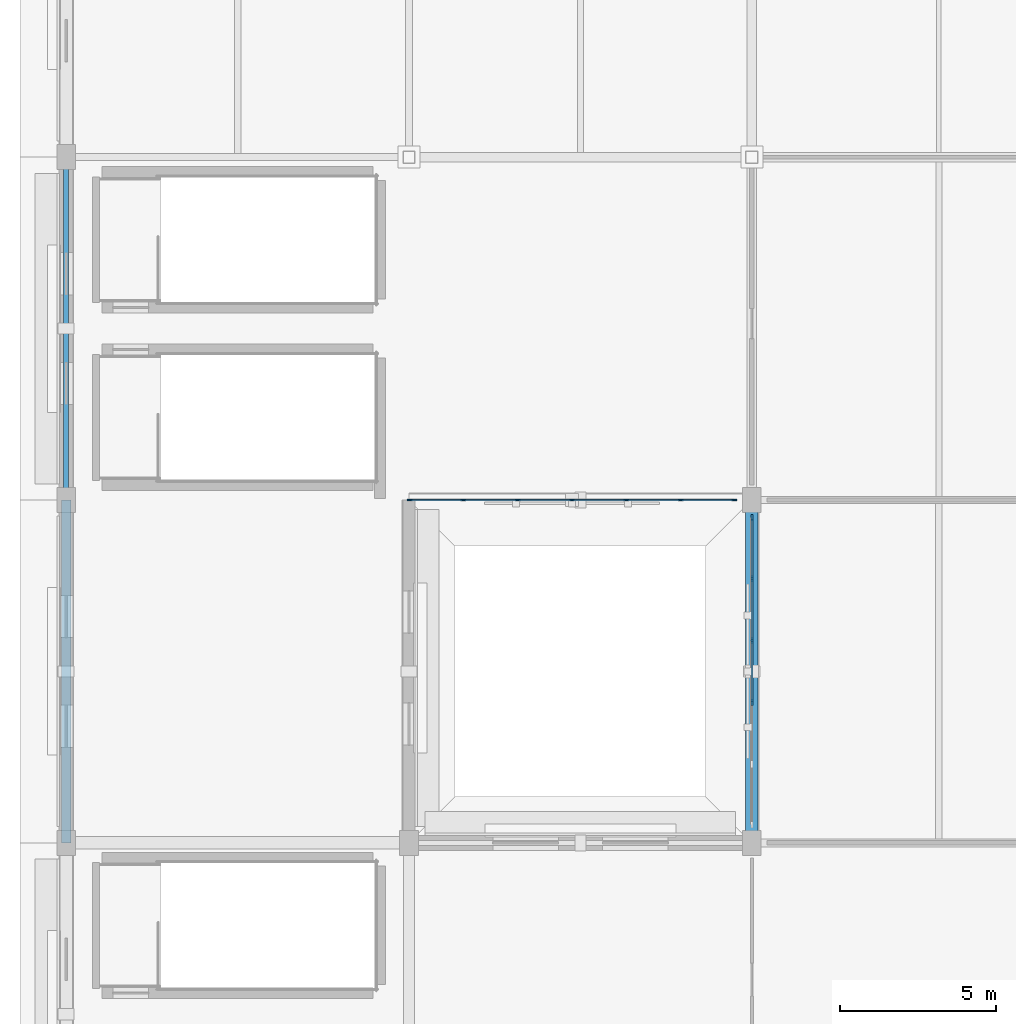
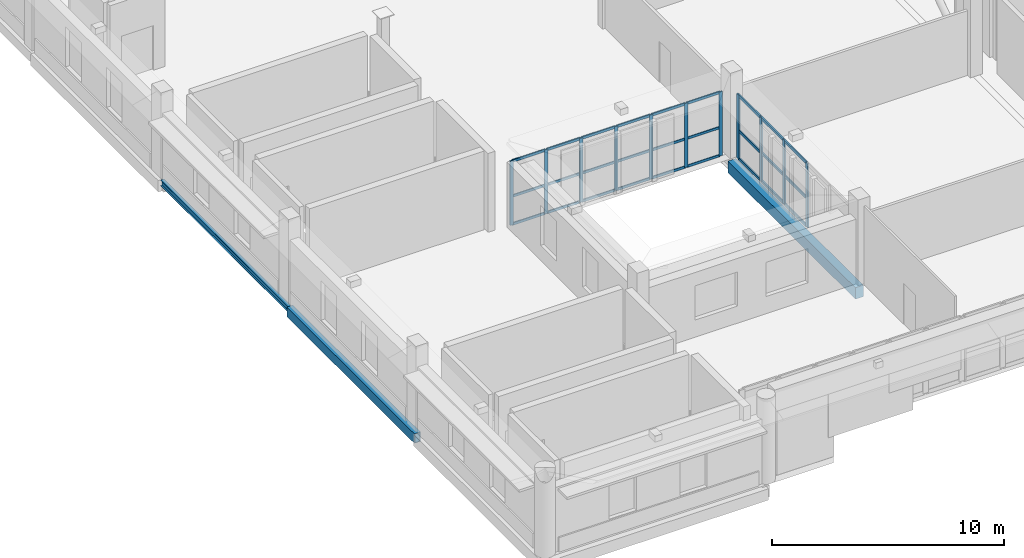
# One storey, part 25 of 118: 38 members, 3 beams, 2 elements without a shape of their own.
"""IFC4 building model written with IfcOpenShell, lengths in metres."""

import ifcopenshell
import ifcopenshell.guid

model = None  # the IFC model being written
_history = None  # IfcOwnerHistory: only IFC2X3 demands one
_inside = {}  # id of a spatial element -> (the spatial element, [elements in it])
_under = {}  # id of a project, library or spatial element -> (it, [spatial elements below it])
_declared = {}  # id of a project -> (the project, [libraries it declares])
_typed = {}  # id of a type object -> (the type object, [elements of that type])
_made_of = {}  # id of a material, layer set ... -> (it, [elements and type objects made of it])


def new_model(schema):
    """Start an empty IFC model of exactly this schema.

    Asked for "IFC4X3", IfcOpenShell would pick the latest addendum, in which some entities
    have other attributes; the version numbers below select the first issue.
    IFC2X3 requires an IfcOwnerHistory on every rooted entity: one is made here for all.
    """
    global model, _history
    if schema == "IFC4X3":
        model = ifcopenshell.file(schema_version=(4, 3, 0, 0))
    else:
        model = ifcopenshell.file(schema=schema)
    _inside.clear()
    _under.clear()
    _declared.clear()
    _typed.clear()
    _made_of.clear()
    _history = None
    if model.schema == "IFC2X3":
        org = make("IfcOrganization", Name="unknown")
        user = make(
            "IfcPersonAndOrganization",
            ThePerson=make("IfcPerson", FamilyName="unknown"),
            TheOrganization=org,
        )
        app = make(
            "IfcApplication",
            ApplicationDeveloper=org,
            Version="unknown",
            ApplicationFullName="unknown",
            ApplicationIdentifier="unknown",
        )
        _history = make(
            "IfcOwnerHistory",
            OwningUser=user,
            OwningApplication=app,
            ChangeAction="ADDED",
            CreationDate=0,
        )
    return model


def make(cls, **values):
    """One entity of the class cls with the attributes given. An attribute that is None is left unset."""
    return model.create_entity(
        cls, **{name: value for name, value in values.items() if value is not None}
    )


def rooted(cls, **values):
    """An entity with a GlobalId (a new one), such as an element, a storey or a relation."""
    return make(cls, GlobalId=ifcopenshell.guid.new(), OwnerHistory=_history, **values)


def si_unit(unit_type, name, prefix=None):
    """IfcSIUnit, for example si_unit("LENGTHUNIT", "METRE", prefix="MILLI")."""
    return make("IfcSIUnit", UnitType=unit_type, Prefix=prefix, Name=name)


def assignment(units):
    """IfcUnitAssignment: the units of a project."""
    return None if units is None else make("IfcUnitAssignment", Units=units)


def point(xyz):
    """IfcCartesianPoint."""
    return None if xyz is None else make("IfcCartesianPoint", Coordinates=xyz)


def direction(xyz):
    """IfcDirection."""
    return None if xyz is None else make("IfcDirection", DirectionRatios=xyz)


def frame(location, z_axis=None, x_axis=None):
    """IfcAxis2Placement3D, a coordinate frame: its origin and axes. An axis left out is left unset."""
    return make(
        "IfcAxis2Placement3D",
        Location=point(location),
        Axis=direction(z_axis),
        RefDirection=direction(x_axis),
    )


def frame_2d(location, x_axis=None):
    """IfcAxis2Placement2D, a coordinate frame in the plane: its origin and x axis."""
    return make(
        "IfcAxis2Placement2D", Location=point(location), RefDirection=direction(x_axis)
    )


def origin():
    """The frame at (0, 0, 0) with its axes left unset."""
    return frame((0.0, 0.0, 0.0))


def origin_2d():
    """The frame at (0, 0) in the plane with its x axis left unset."""
    return frame_2d((0.0, 0.0))


def place(relative_to, where):
    """IfcLocalPlacement: puts the frame where relative to a parent placement (None: the world)."""
    return make(
        "IfcLocalPlacement", PlacementRelTo=relative_to, RelativePlacement=where
    )


def context(
    kind, dimensions, precision=None, world=None, true_north=None, identifier=None
):
    """IfcGeometricRepresentationContext, for example the 3D "Model" context."""
    return make(
        "IfcGeometricRepresentationContext",
        ContextIdentifier=identifier,
        ContextType=kind,
        CoordinateSpaceDimension=dimensions,
        Precision=precision,
        WorldCoordinateSystem=world,
        TrueNorth=true_north,
    )


def subcontext(parent, identifier, kind, view, scale=None):
    """IfcGeometricRepresentationSubContext, for example "Body" below "Model"."""
    return make(
        "IfcGeometricRepresentationSubContext",
        ContextIdentifier=identifier,
        ContextType=kind,
        ParentContext=parent,
        TargetScale=scale,
        TargetView=view,
    )


def project(units=None, contexts=None):
    """IfcProject with its units and contexts."""
    return rooted(
        "IfcProject",
        Name="project",
        RepresentationContexts=contexts,
        UnitsInContext=assignment(units),
    )


def spatial(cls, under=None, at=None, **own):
    """A site, building, storey or space (cls), placed at a placement, below another one or the project."""
    s = rooted(cls, ObjectPlacement=at, **own)
    if under is not None:
        _under.setdefault(under.id(), (under, []))[1].append(s)
    return s


def profile(cls, at=None, kind="AREA", **sizes):
    """A parametric profile (cls). Its sizes go by their IFC names, for example OverallWidth=200.0."""
    return make(cls, ProfileType=kind, Position=at, **sizes)


def rectangle(**sizes):
    """IfcRectangleProfileDef."""
    return profile("IfcRectangleProfileDef", **sizes)


def hollow_rectangle(**sizes):
    """IfcRectangleHollowProfileDef."""
    return profile("IfcRectangleHollowProfileDef", **sizes)


def i_section(**sizes):
    """IfcIShapeProfileDef."""
    return profile("IfcIShapeProfileDef", **sizes)


def extrude(swept, where, along, depth):
    """IfcExtrudedAreaSolid: the profile swept, set in the frame where, extruded along a direction by depth."""
    return make(
        "IfcExtrudedAreaSolid",
        SweptArea=swept,
        Position=where,
        ExtrudedDirection=direction(along),
        Depth=depth,
    )


def shape(context_of_items, identifier, shape_type, items):
    """IfcShapeRepresentation: the items that make up one representation, for example the "Body"."""
    return make(
        "IfcShapeRepresentation",
        ContextOfItems=context_of_items,
        RepresentationIdentifier=identifier,
        RepresentationType=shape_type,
        Items=items,
    )


def material(Name=None, Category=None):
    """IfcMaterial."""
    return make("IfcMaterial", Name=Name, Category=Category)


def material_profile(
    of_material, cross_section, Name=None, Category=None, Priority=None
):
    """IfcMaterialProfile: a cross section and its material."""
    return make(
        "IfcMaterialProfile",
        Name=Name,
        Material=of_material,
        Profile=cross_section,
        Priority=Priority,
        Category=Category,
    )


def profile_set(profiles, Name=None, composite=None):
    """IfcMaterialProfileSet."""
    return make(
        "IfcMaterialProfileSet",
        Name=Name,
        MaterialProfiles=profiles,
        CompositeProfile=composite,
    )


def made_of(thing, what):
    """Note that an element or type object is made of a material, layer set ...; save() writes the relation."""
    if what is not None:
        _made_of.setdefault(what.id(), (what, []))[1].append(thing)
    return thing


def type_object(cls, material=None, **own):
    """A type object (cls), such as IfcWallType, which elements share."""
    return made_of(rooted(cls, **own), material)


def element(
    cls,
    number,
    at=None,
    inside=None,
    cuts=None,
    type_object=None,
    material=None,
    context=None,
    identifier="Body",
    shape_type=None,
    held_by="IfcProductDefinitionShape",
    body=None,
    shapes=None,
    **own,
):
    """One element of the class cls, such as IfcWall. Its Tag is "e" and its number.

    at: its placement. inside: the storey or other place that contains it. cuts: it is an
    opening in that element (IfcRelVoidsElement). A single representation is given by context,
    identifier, shape_type and body (its items); several are given by shapes. held_by: the class
    of the entity that holds the representations. save() writes the other relations.
    """
    e = rooted(cls, Tag="e%d" % number, ObjectPlacement=at, **own)
    if body is not None:
        shapes = [shape(context, identifier, shape_type, body)]
    if shapes is not None:
        e.Representation = make(held_by, Representations=shapes)
    if inside is not None:
        _inside.setdefault(inside.id(), (inside, []))[1].append(e)
    if cuts is not None:
        rooted(
            "IfcRelVoidsElement", RelatingBuildingElement=cuts, RelatedOpeningElement=e
        )
    if type_object is not None:
        _typed.setdefault(type_object.id(), (type_object, []))[1].append(e)
    return made_of(e, material)


def aggregate(whole, parts):
    """IfcRelAggregates: a whole, such as a stair, and the parts it consists of."""
    return rooted("IfcRelAggregates", RelatingObject=whole, RelatedObjects=parts)


def save(model, path):
    """Write the relations noted so far, then the file.

    IfcRelAggregates (storeys below a building ...), IfcRelContainedInSpatialStructure (elements
    in a storey), IfcRelDefinesByType, IfcRelAssociatesMaterial and IfcRelDeclares: one each for
    every whole, place, type object, material and project.
    """
    for whole, parts in _under.values():
        aggregate(whole, parts)
    for where, things in _inside.values():
        rooted(
            "IfcRelContainedInSpatialStructure",
            RelatedElements=things,
            RelatingStructure=where,
        )
    for kind, things in _typed.values():
        rooted("IfcRelDefinesByType", RelatedObjects=things, RelatingType=kind)
    for what, things in _made_of.values():
        rooted("IfcRelAssociatesMaterial", RelatedObjects=things, RelatingMaterial=what)
    for by, libraries in _declared.values():
        rooted("IfcRelDeclares", RelatingContext=by, RelatedDefinitions=libraries)
    model.write(path)


model = new_model("IFC4")

# Units and contexts
model_context = context("Model", 3, precision=1e-05, world=origin(), true_north=direction((0.0, 1.0)))
body_context = subcontext(model_context, "Body", "Model", "MODEL_VIEW")
ifc_project = project(units=[si_unit("LENGTHUNIT", "METRE"), si_unit("AREAUNIT", "SQUARE_METRE"), si_unit("VOLUMEUNIT", "CUBIC_METRE"), si_unit("PLANEANGLEUNIT", "RADIAN"), si_unit("MASSUNIT", "GRAM", prefix="KILO")], contexts=[model_context])

# Site, building, storey
site_placement = place(None, origin())
site = spatial("IfcSite", under=ifc_project, at=site_placement, CompositionType="ELEMENT")
building_placement = place(site_placement, origin())
building = spatial("IfcBuilding", under=site, at=building_placement, Name="Luwafu Chhajja Arena", CompositionType="ELEMENT")
storey_placement = place(building_placement, frame((0.0, 0.0, 10.199951171875)))
storey = spatial("IfcBuildingStorey", under=building, at=storey_placement, Name="L02", CompositionType="ELEMENT", Elevation=10.199951171875)

# Curtain wall, members
ifc_material_1 = material(Name="Anodised bronze aluminium", Category="aluminium")
curtain_wall_type_1 = type_object("IfcCurtainWallType", Name="Bowl Concourse Chord Curtain Wall", PredefinedType="USERDEFINED", material=ifc_material_1)
curtain_wall_1_placement = place(storey_placement, origin())
curtain_wall_1 = element("IfcCurtainWall", 1, at=curtain_wall_1_placement, inside=storey, type_object=curtain_wall_type_1, Name="L02 Curtain Wall CWG-L02-H01_02", ObjectType="CURTAIN WALL", PredefinedType="USERDEFINED")
ifc_material_profile_1 = material_profile(ifc_material_1, rectangle(XDim=0.06005859375, YDim=0.159912109375, at=origin_2d()), Name="CWM 60x160")
ifc_profile_set_1 = profile_set([ifc_material_profile_1], Name="Anodised bronze aluminium")
member_type_1 = type_object("IfcMemberType", Name="Bronze Curtain Wall Mullion 60x160", PredefinedType="MULLION", material=ifc_profile_set_1)
member_1_placement = place(storey_placement, frame((11.030029296875, 22.0, 0.030029296875), z_axis=(0.0, 0.0, 1.0), x_axis=(0.0, 1.0, 0.0)))
member_1 = element("IfcMember", 2, at=member_1_placement, type_object=member_type_1, Name="CW-01 mullion 1", PredefinedType="MULLION", context=body_context, shape_type="SweptSolid", body=[
    extrude(rectangle(XDim=0.06005859375, YDim=0.159912109375, at=origin_2d()), origin(), (0.0, 0.0, 1.0), 3.375),
])
member_2_placement = place(storey_placement, frame((12.743408203125, 22.0, 0.030029296875), z_axis=(0.0, 0.0, 1.0), x_axis=(0.0, 1.0, 0.0)))
member_2 = element("IfcMember", 3, at=member_2_placement, type_object=member_type_1, Name="CW-01 mullion 2", PredefinedType="MULLION", context=body_context, shape_type="SweptSolid", body=[
    extrude(rectangle(XDim=0.06005859375, YDim=0.159912109375, at=origin_2d()), origin(), (0.0, 0.0, 1.0), 3.375),
])
member_3_placement = place(storey_placement, frame((14.486572265625, 22.0, 0.030029296875), z_axis=(0.0, 0.0, 1.0), x_axis=(0.0, 1.0, 0.0)))
member_3 = element("IfcMember", 4, at=member_3_placement, type_object=member_type_1, Name="CW-01 mullion 3", PredefinedType="MULLION", context=body_context, shape_type="SweptSolid", body=[
    extrude(rectangle(XDim=0.06005859375, YDim=0.159912109375, at=origin_2d()), origin(), (0.0, 0.0, 1.0), 3.375),
])
member_4_placement = place(storey_placement, frame((16.22998046875, 22.0, 0.030029296875), z_axis=(0.0, 0.0, 1.0), x_axis=(0.0, 1.0, 0.0)))
member_4 = element("IfcMember", 5, at=member_4_placement, type_object=member_type_1, Name="CW-01 mullion 4", PredefinedType="MULLION", context=body_context, shape_type="SweptSolid", body=[
    extrude(rectangle(XDim=0.06005859375, YDim=0.159912109375, at=origin_2d()), origin(), (0.0, 0.0, 1.0), 3.375),
])
member_5_placement = place(storey_placement, frame((17.973388671875, 22.0, 0.030029296875), z_axis=(0.0, 0.0, 1.0), x_axis=(0.0, 1.0, 0.0)))
member_5 = element("IfcMember", 6, at=member_5_placement, type_object=member_type_1, Name="CW-01 mullion 5", PredefinedType="MULLION", context=body_context, shape_type="SweptSolid", body=[
    extrude(rectangle(XDim=0.06005859375, YDim=0.159912109375, at=origin_2d()), origin(), (0.0, 0.0, 1.0), 3.375),
])
member_6_placement = place(storey_placement, frame((19.716552734375, 22.0, 0.030029296875), z_axis=(0.0, 0.0, 1.0), x_axis=(0.0, 1.0, 0.0)))
member_6 = element("IfcMember", 7, at=member_6_placement, type_object=member_type_1, Name="CW-01 mullion 6", PredefinedType="MULLION", context=body_context, shape_type="SweptSolid", body=[
    extrude(rectangle(XDim=0.06005859375, YDim=0.159912109375, at=origin_2d()), origin(), (0.0, 0.0, 1.0), 3.375),
])
member_7_placement = place(storey_placement, frame((21.429931640625, 22.0, 0.030029296875), z_axis=(0.0, 0.0, 1.0), x_axis=(0.0, 1.0, 0.0)))
member_7 = element("IfcMember", 8, at=member_7_placement, type_object=member_type_1, Name="CW-01 mullion 7", PredefinedType="MULLION", context=body_context, shape_type="SweptSolid", body=[
    extrude(rectangle(XDim=0.06005859375, YDim=0.159912109375, at=origin_2d()), origin(), (0.0, 0.0, 1.0), 3.375),
])

curtain_wall_type_2 = type_object("IfcCurtainWallType", Name="Hospitality Ring Curtain Wall", PredefinedType="USERDEFINED", material=ifc_material_1)
curtain_wall_2_placement = place(storey_placement, origin())
curtain_wall_2 = element("IfcCurtainWall", 9, at=curtain_wall_2_placement, inside=storey, type_object=curtain_wall_type_2, Name="L02 Curtain Wall CWG-L02-V02_01", ObjectType="CURTAIN WALL", PredefinedType="USERDEFINED")
ifc_material_profile_2 = material_profile(ifc_material_1, rectangle(XDim=0.06494140625, YDim=0.199951171875, at=origin_2d()), Name="CWM 65x200")
ifc_profile_set_2 = profile_set([ifc_material_profile_2], Name="Anodised bronze aluminium")
member_type_2 = type_object("IfcMemberType", Name="Bronze Curtain Wall Mullion 65x200", PredefinedType="MULLION", material=ifc_profile_set_2)
member_8_placement = place(storey_placement, frame((22.0, 15.508056640625, 0.030029296875), z_axis=(0.0, 0.0, 1.0), x_axis=(-1.0, 0.0, 0.0)))
member_8 = element("IfcMember", 10, at=member_8_placement, type_object=member_type_2, Name="CW-02 mullion 3", PredefinedType="MULLION", context=body_context, shape_type="SweptSolid", body=[
    extrude(rectangle(XDim=0.06494140625, YDim=0.199951171875, at=origin_2d()), origin(), (0.0, 0.0, 1.0), 3.375),
])
member_9_placement = place(storey_placement, frame((22.0, 17.491943359375, 0.030029296875), z_axis=(0.0, 0.0, 1.0), x_axis=(-1.0, 0.0, 0.0)))
member_9 = element("IfcMember", 11, at=member_9_placement, type_object=member_type_2, Name="CW-02 mullion 4", PredefinedType="MULLION", context=body_context, shape_type="SweptSolid", body=[
    extrude(rectangle(XDim=0.06494140625, YDim=0.199951171875, at=origin_2d()), origin(), (0.0, 0.0, 1.0), 3.375),
])
member_10_placement = place(storey_placement, frame((22.0, 19.47607421875, 0.030029296875), z_axis=(0.0, 0.0, 1.0), x_axis=(-1.0, 0.0, 0.0)))
member_10 = element("IfcMember", 12, at=member_10_placement, type_object=member_type_2, Name="CW-02 mullion 5", PredefinedType="MULLION", context=body_context, shape_type="SweptSolid", body=[
    extrude(rectangle(XDim=0.06494140625, YDim=0.199951171875, at=origin_2d()), origin(), (0.0, 0.0, 1.0), 3.375),
])
member_11_placement = place(storey_placement, frame((22.0, 21.427490234375, 0.030029296875), z_axis=(0.0, 0.0, 1.0), x_axis=(-1.0, 0.0, 0.0)))
member_11 = element("IfcMember", 13, at=member_11_placement, type_object=member_type_2, Name="CW-02 mullion 6", PredefinedType="MULLION", context=body_context, shape_type="SweptSolid", body=[
    extrude(rectangle(XDim=0.06494140625, YDim=0.199951171875, at=origin_2d()), origin(), (0.0, 0.0, 1.0), 3.375),
])

# Member
ifc_material_profile_3 = material_profile(ifc_material_1, rectangle(XDim=0.06005859375, YDim=0.1298828125, at=origin_2d()), Name="CWT 60x130")
ifc_profile_set_3 = profile_set([ifc_material_profile_3], Name="Anodised bronze aluminium")
member_type_3 = type_object("IfcMemberType", Name="Bronze Curtain Wall Transom 60x130", PredefinedType="USERDEFINED", material=ifc_profile_set_3)
member_12_placement = place(storey_placement, frame((11.06005859375, 22.0, 0.06005859375), z_axis=(1.0, 0.0, 0.0), x_axis=(0.0, 1.0, 0.0)))
member_12 = element("IfcMember", 14, at=member_12_placement, type_object=member_type_3, Name="CW-01 transom 1.1", ObjectType="TRANSOM", PredefinedType="USERDEFINED", context=body_context, shape_type="SweptSolid", body=[
    extrude(rectangle(XDim=0.06005859375, YDim=0.1298828125, at=origin_2d()), origin(), (0.0, 0.0, 1.0), 1.6533203125),
])

member_13_placement = place(storey_placement, frame((11.06005859375, 22.0, 1.532470703125), z_axis=(1.0, 0.0, 0.0), x_axis=(0.0, 1.0, 0.0)))
member_13 = element("IfcMember", 15, at=member_13_placement, type_object=member_type_3, Name="CW-01 transom 1.2", ObjectType="TRANSOM", PredefinedType="USERDEFINED", context=body_context, shape_type="SweptSolid", body=[
    extrude(rectangle(XDim=0.06005859375, YDim=0.1298828125, at=origin_2d()), origin(), (0.0, 0.0, 1.0), 1.6533203125),
])

member_14_placement = place(storey_placement, frame((11.06005859375, 22.0, 3.375), z_axis=(1.0, 0.0, 0.0), x_axis=(0.0, 1.0, 0.0)))
member_14 = element("IfcMember", 16, at=member_14_placement, type_object=member_type_3, Name="CW-01 transom 1.3", ObjectType="TRANSOM", PredefinedType="USERDEFINED", context=body_context, shape_type="SweptSolid", body=[
    extrude(rectangle(XDim=0.06005859375, YDim=0.1298828125, at=origin_2d()), origin(), (0.0, 0.0, 1.0), 1.6533203125),
])

member_15_placement = place(storey_placement, frame((12.7734375, 22.0, 0.06005859375), z_axis=(1.0, 0.0, 0.0), x_axis=(0.0, 1.0, 0.0)))
member_15 = element("IfcMember", 17, at=member_15_placement, type_object=member_type_3, Name="CW-01 transom 2.1", ObjectType="TRANSOM", PredefinedType="USERDEFINED", context=body_context, shape_type="SweptSolid", body=[
    extrude(rectangle(XDim=0.06005859375, YDim=0.1298828125, at=origin_2d()), origin(), (0.0, 0.0, 1.0), 1.683349609375),
])

member_16_placement = place(storey_placement, frame((12.7734375, 22.0, 1.532470703125), z_axis=(1.0, 0.0, 0.0), x_axis=(0.0, 1.0, 0.0)))
member_16 = element("IfcMember", 18, at=member_16_placement, type_object=member_type_3, Name="CW-01 transom 2.2", ObjectType="TRANSOM", PredefinedType="USERDEFINED", context=body_context, shape_type="SweptSolid", body=[
    extrude(rectangle(XDim=0.06005859375, YDim=0.1298828125, at=origin_2d()), origin(), (0.0, 0.0, 1.0), 1.683349609375),
])

member_17_placement = place(storey_placement, frame((12.7734375, 22.0, 3.375), z_axis=(1.0, 0.0, 0.0), x_axis=(0.0, 1.0, 0.0)))
member_17 = element("IfcMember", 19, at=member_17_placement, type_object=member_type_3, Name="CW-01 transom 2.3", ObjectType="TRANSOM", PredefinedType="USERDEFINED", context=body_context, shape_type="SweptSolid", body=[
    extrude(rectangle(XDim=0.06005859375, YDim=0.1298828125, at=origin_2d()), origin(), (0.0, 0.0, 1.0), 1.683349609375),
])

member_18_placement = place(storey_placement, frame((14.5166015625, 22.0, 0.06005859375), z_axis=(1.0, 0.0, 0.0), x_axis=(0.0, 1.0, 0.0)))
member_18 = element("IfcMember", 20, at=member_18_placement, type_object=member_type_3, Name="CW-01 transom 3.1", ObjectType="TRANSOM", PredefinedType="USERDEFINED", context=body_context, shape_type="SweptSolid", body=[
    extrude(rectangle(XDim=0.06005859375, YDim=0.1298828125, at=origin_2d()), origin(), (0.0, 0.0, 1.0), 1.683349609375),
])

member_19_placement = place(storey_placement, frame((14.5166015625, 22.0, 1.532470703125), z_axis=(1.0, 0.0, 0.0), x_axis=(0.0, 1.0, 0.0)))
member_19 = element("IfcMember", 21, at=member_19_placement, type_object=member_type_3, Name="CW-01 transom 3.2", ObjectType="TRANSOM", PredefinedType="USERDEFINED", context=body_context, shape_type="SweptSolid", body=[
    extrude(rectangle(XDim=0.06005859375, YDim=0.1298828125, at=origin_2d()), origin(), (0.0, 0.0, 1.0), 1.683349609375),
])

member_20_placement = place(storey_placement, frame((14.5166015625, 22.0, 3.375), z_axis=(1.0, 0.0, 0.0), x_axis=(0.0, 1.0, 0.0)))
member_20 = element("IfcMember", 22, at=member_20_placement, type_object=member_type_3, Name="CW-01 transom 3.3", ObjectType="TRANSOM", PredefinedType="USERDEFINED", context=body_context, shape_type="SweptSolid", body=[
    extrude(rectangle(XDim=0.06005859375, YDim=0.1298828125, at=origin_2d()), origin(), (0.0, 0.0, 1.0), 1.683349609375),
])

member_21_placement = place(storey_placement, frame((16.260009765625, 22.0, 0.06005859375), z_axis=(1.0, 0.0, 0.0), x_axis=(0.0, 1.0, 0.0)))
member_21 = element("IfcMember", 23, at=member_21_placement, type_object=member_type_3, Name="CW-01 transom 4.1", ObjectType="TRANSOM", PredefinedType="USERDEFINED", context=body_context, shape_type="SweptSolid", body=[
    extrude(rectangle(XDim=0.06005859375, YDim=0.1298828125, at=origin_2d()), origin(), (0.0, 0.0, 1.0), 1.683349609375),
])

member_22_placement = place(storey_placement, frame((16.260009765625, 22.0, 1.532470703125), z_axis=(1.0, 0.0, 0.0), x_axis=(0.0, 1.0, 0.0)))
member_22 = element("IfcMember", 24, at=member_22_placement, type_object=member_type_3, Name="CW-01 transom 4.2", ObjectType="TRANSOM", PredefinedType="USERDEFINED", context=body_context, shape_type="SweptSolid", body=[
    extrude(rectangle(XDim=0.06005859375, YDim=0.1298828125, at=origin_2d()), origin(), (0.0, 0.0, 1.0), 1.683349609375),
])

member_23_placement = place(storey_placement, frame((16.260009765625, 22.0, 3.375), z_axis=(1.0, 0.0, 0.0), x_axis=(0.0, 1.0, 0.0)))
member_23 = element("IfcMember", 25, at=member_23_placement, type_object=member_type_3, Name="CW-01 transom 4.3", ObjectType="TRANSOM", PredefinedType="USERDEFINED", context=body_context, shape_type="SweptSolid", body=[
    extrude(rectangle(XDim=0.06005859375, YDim=0.1298828125, at=origin_2d()), origin(), (0.0, 0.0, 1.0), 1.683349609375),
])

member_24_placement = place(storey_placement, frame((18.00341796875, 22.0, 0.06005859375), z_axis=(1.0, 0.0, 0.0), x_axis=(0.0, 1.0, 0.0)))
member_24 = element("IfcMember", 26, at=member_24_placement, type_object=member_type_3, Name="CW-01 transom 5.1", ObjectType="TRANSOM", PredefinedType="USERDEFINED", context=body_context, shape_type="SweptSolid", body=[
    extrude(rectangle(XDim=0.06005859375, YDim=0.1298828125, at=origin_2d()), origin(), (0.0, 0.0, 1.0), 1.683349609375),
])

member_25_placement = place(storey_placement, frame((18.00341796875, 22.0, 1.532470703125), z_axis=(1.0, 0.0, 0.0), x_axis=(0.0, 1.0, 0.0)))
member_25 = element("IfcMember", 27, at=member_25_placement, type_object=member_type_3, Name="CW-01 transom 5.2", ObjectType="TRANSOM", PredefinedType="USERDEFINED", context=body_context, shape_type="SweptSolid", body=[
    extrude(rectangle(XDim=0.06005859375, YDim=0.1298828125, at=origin_2d()), origin(), (0.0, 0.0, 1.0), 1.683349609375),
])

member_26_placement = place(storey_placement, frame((18.00341796875, 22.0, 3.375), z_axis=(1.0, 0.0, 0.0), x_axis=(0.0, 1.0, 0.0)))
member_26 = element("IfcMember", 28, at=member_26_placement, type_object=member_type_3, Name="CW-01 transom 5.3", ObjectType="TRANSOM", PredefinedType="USERDEFINED", context=body_context, shape_type="SweptSolid", body=[
    extrude(rectangle(XDim=0.06005859375, YDim=0.1298828125, at=origin_2d()), origin(), (0.0, 0.0, 1.0), 1.683349609375),
])

member_27_placement = place(storey_placement, frame((19.74658203125, 22.0, 0.06005859375), z_axis=(1.0, 0.0, 0.0), x_axis=(0.0, 1.0, 0.0)))
member_27 = element("IfcMember", 29, at=member_27_placement, type_object=member_type_3, Name="CW-01 transom 6.1", ObjectType="TRANSOM", PredefinedType="USERDEFINED", context=body_context, shape_type="SweptSolid", body=[
    extrude(rectangle(XDim=0.06005859375, YDim=0.1298828125, at=origin_2d()), origin(), (0.0, 0.0, 1.0), 1.6533203125),
])

member_28_placement = place(storey_placement, frame((19.74658203125, 22.0, 1.532470703125), z_axis=(1.0, 0.0, 0.0), x_axis=(0.0, 1.0, 0.0)))
member_28 = element("IfcMember", 30, at=member_28_placement, type_object=member_type_3, Name="CW-01 transom 6.2", ObjectType="TRANSOM", PredefinedType="USERDEFINED", context=body_context, shape_type="SweptSolid", body=[
    extrude(rectangle(XDim=0.06005859375, YDim=0.1298828125, at=origin_2d()), origin(), (0.0, 0.0, 1.0), 1.6533203125),
])

member_29_placement = place(storey_placement, frame((19.74658203125, 22.0, 3.375), z_axis=(1.0, 0.0, 0.0), x_axis=(0.0, 1.0, 0.0)))
member_29 = element("IfcMember", 31, at=member_29_placement, type_object=member_type_3, Name="CW-01 transom 6.3", ObjectType="TRANSOM", PredefinedType="USERDEFINED", context=body_context, shape_type="SweptSolid", body=[
    extrude(rectangle(XDim=0.06005859375, YDim=0.1298828125, at=origin_2d()), origin(), (0.0, 0.0, 1.0), 1.6533203125),
])

aggregate(curtain_wall_1, [member_1, member_2, member_3, member_4, member_5, member_6, member_7, member_12, member_13, member_14, member_15, member_16, member_17, member_18, member_19, member_20, member_21, member_22, member_23, member_24, member_25, member_26, member_27, member_28, member_29])

ifc_material_profile_4 = material_profile(ifc_material_1, rectangle(XDim=0.06494140625, YDim=0.14990234375, at=origin_2d()), Name="CWT 65x150")
ifc_profile_set_4 = profile_set([ifc_material_profile_4], Name="Anodised bronze aluminium")
member_type_4 = type_object("IfcMemberType", Name="Bronze Curtain Wall Transom 65x150", PredefinedType="USERDEFINED", material=ifc_profile_set_4)
member_30_placement = place(storey_placement, frame((22.0, 15.54052734375, 0.0625), z_axis=(0.0, 1.0, 0.0), x_axis=(-1.0, 0.0, 0.0)))
member_30 = element("IfcMember", 32, at=member_30_placement, type_object=member_type_4, Name="CW-02 transom 3.1", ObjectType="TRANSOM", PredefinedType="USERDEFINED", context=body_context, shape_type="SweptSolid", body=[
    extrude(rectangle(XDim=0.06494140625, YDim=0.14990234375, at=origin_2d()), origin(), (0.0, 0.0, 1.0), 1.9189453125),
])

member_31_placement = place(storey_placement, frame((22.0, 15.54052734375, 1.532470703125), z_axis=(0.0, 1.0, 0.0), x_axis=(-1.0, 0.0, 0.0)))
member_31 = element("IfcMember", 33, at=member_31_placement, type_object=member_type_4, Name="CW-02 transom 3.2", ObjectType="TRANSOM", PredefinedType="USERDEFINED", context=body_context, shape_type="SweptSolid", body=[
    extrude(rectangle(XDim=0.06494140625, YDim=0.14990234375, at=origin_2d()), origin(), (0.0, 0.0, 1.0), 1.9189453125),
])

member_32_placement = place(storey_placement, frame((22.0, 15.54052734375, 3.37255859375), z_axis=(0.0, 1.0, 0.0), x_axis=(-1.0, 0.0, 0.0)))
member_32 = element("IfcMember", 34, at=member_32_placement, type_object=member_type_4, Name="CW-02 transom 3.3", ObjectType="TRANSOM", PredefinedType="USERDEFINED", context=body_context, shape_type="SweptSolid", body=[
    extrude(rectangle(XDim=0.06494140625, YDim=0.14990234375, at=origin_2d()), origin(), (0.0, 0.0, 1.0), 1.9189453125),
])

member_33_placement = place(storey_placement, frame((22.0, 17.5244140625, 0.0625), z_axis=(0.0, 1.0, 0.0), x_axis=(-1.0, 0.0, 0.0)))
member_33 = element("IfcMember", 35, at=member_33_placement, type_object=member_type_4, Name="CW-02 transom 4.1", ObjectType="TRANSOM", PredefinedType="USERDEFINED", context=body_context, shape_type="SweptSolid", body=[
    extrude(rectangle(XDim=0.06494140625, YDim=0.14990234375, at=origin_2d()), origin(), (0.0, 0.0, 1.0), 1.919189453125),
])

member_34_placement = place(storey_placement, frame((22.0, 17.5244140625, 1.532470703125), z_axis=(0.0, 1.0, 0.0), x_axis=(-1.0, 0.0, 0.0)))
member_34 = element("IfcMember", 36, at=member_34_placement, type_object=member_type_4, Name="CW-02 transom 4.2", ObjectType="TRANSOM", PredefinedType="USERDEFINED", context=body_context, shape_type="SweptSolid", body=[
    extrude(rectangle(XDim=0.06494140625, YDim=0.14990234375, at=origin_2d()), origin(), (0.0, 0.0, 1.0), 1.919189453125),
])

member_35_placement = place(storey_placement, frame((22.0, 17.5244140625, 3.37255859375), z_axis=(0.0, 1.0, 0.0), x_axis=(-1.0, 0.0, 0.0)))
member_35 = element("IfcMember", 37, at=member_35_placement, type_object=member_type_4, Name="CW-02 transom 4.3", ObjectType="TRANSOM", PredefinedType="USERDEFINED", context=body_context, shape_type="SweptSolid", body=[
    extrude(rectangle(XDim=0.06494140625, YDim=0.14990234375, at=origin_2d()), origin(), (0.0, 0.0, 1.0), 1.919189453125),
])

member_36_placement = place(storey_placement, frame((22.0, 19.508544921875, 0.0625), z_axis=(0.0, 1.0, 0.0), x_axis=(-1.0, 0.0, 0.0)))
member_36 = element("IfcMember", 38, at=member_36_placement, type_object=member_type_4, Name="CW-02 transom 5.1", ObjectType="TRANSOM", PredefinedType="USERDEFINED", context=body_context, shape_type="SweptSolid", body=[
    extrude(rectangle(XDim=0.06494140625, YDim=0.14990234375, at=origin_2d()), origin(), (0.0, 0.0, 1.0), 1.886474609375),
])

member_37_placement = place(storey_placement, frame((22.0, 19.508544921875, 1.532470703125), z_axis=(0.0, 1.0, 0.0), x_axis=(-1.0, 0.0, 0.0)))
member_37 = element("IfcMember", 39, at=member_37_placement, type_object=member_type_4, Name="CW-02 transom 5.2", ObjectType="TRANSOM", PredefinedType="USERDEFINED", context=body_context, shape_type="SweptSolid", body=[
    extrude(rectangle(XDim=0.06494140625, YDim=0.14990234375, at=origin_2d()), origin(), (0.0, 0.0, 1.0), 1.886474609375),
])

member_38_placement = place(storey_placement, frame((22.0, 19.508544921875, 3.37255859375), z_axis=(0.0, 1.0, 0.0), x_axis=(-1.0, 0.0, 0.0)))
member_38 = element("IfcMember", 40, at=member_38_placement, type_object=member_type_4, Name="CW-02 transom 5.3", ObjectType="TRANSOM", PredefinedType="USERDEFINED", context=body_context, shape_type="SweptSolid", body=[
    extrude(rectangle(XDim=0.06494140625, YDim=0.14990234375, at=origin_2d()), origin(), (0.0, 0.0, 1.0), 1.886474609375),
])

aggregate(curtain_wall_2, [member_8, member_9, member_10, member_11, member_30, member_31, member_32, member_33, member_34, member_35, member_36, member_37, member_38])

# Beams
ifc_material_2 = material(Name="Steel S355", Category="steel")
ifc_material_profile_5 = material_profile(ifc_material_2, i_section(OverallWidth=0.165771484375, OverallDepth=0.306640625, WebThickness=0.006591796875, FlangeThickness=0.01171875, at=origin_2d()), Name="UB 305x165x46")
ifc_profile_set_5 = profile_set([ifc_material_profile_5], Name="Steel S355")
beam_type_1 = type_object("IfcBeamType", Name="Concourse Edge Spandrel Beam UB 305x165x46", PredefinedType="SPANDREL", material=ifc_profile_set_5)
beam_1_placement = place(storey_placement, frame((0.0, 22.0, -0.543212890625), z_axis=(0.0, 1.0, 0.0), x_axis=(-1.0, 0.0, 0.0)))
element("IfcBeam", 41, at=beam_1_placement, inside=storey, type_object=beam_type_1, Name="L02 Grid Beam 1/C-D", PredefinedType="SPANDREL", context=body_context, shape_type="SweptSolid", body=[
    extrude(i_section(OverallWidth=0.165771484375, OverallDepth=0.306640625, WebThickness=0.006591796875, FlangeThickness=0.01171875, at=origin_2d()), origin(), (0.0, 0.0, 1.0), 11.0),
])
ifc_material_profile_6 = material_profile(ifc_material_2, hollow_rectangle(XDim=0.300048828125, YDim=0.5, WallThickness=0.02001953125, at=origin_2d()), Name="RHS 500x300x20")
ifc_profile_set_6 = profile_set([ifc_material_profile_6], Name="Steel S355")
beam_type_2 = type_object("IfcBeamType", Name="Pleated Drum Spandrel Beam RHS 500x300", PredefinedType="SPANDREL", material=ifc_profile_set_6)
beam_2_placement = place(storey_placement, frame((0.0, 11.0, -0.639892578125), z_axis=(0.0, 1.0, 0.0), x_axis=(-1.0, 0.0, 0.0)))
element("IfcBeam", 42, at=beam_2_placement, inside=storey, type_object=beam_type_2, Name="L02 Grid Beam 1/B-C", PredefinedType="SPANDREL", context=body_context, shape_type="SweptSolid", body=[
    extrude(hollow_rectangle(XDim=0.300048828125, YDim=0.5, WallThickness=0.02001953125, at=origin_2d()), origin(), (0.0, 0.0, 1.0), 11.0),
])
ifc_material_3 = material(Name="Concrete C35/45", Category="concrete")
ifc_material_profile_7 = material_profile(ifc_material_3, rectangle(XDim=0.39990234375, YDim=0.60009765625, at=origin_2d()), Name="RC 400x600")
ifc_profile_set_7 = profile_set([ifc_material_profile_7], Name="Concrete C35/45")
beam_type_3 = type_object("IfcBeamType", Name="Podium Perimeter Spandrel RC 400x600", PredefinedType="SPANDREL", material=ifc_profile_set_7)
beam_3_placement = place(storey_placement, frame((22.0, 11.0, -0.68994140625), z_axis=(0.0, 1.0, 0.0), x_axis=(-1.0, 0.0, 0.0)))
element("IfcBeam", 43, at=beam_3_placement, inside=storey, type_object=beam_type_3, Name="L02 Grid Beam 3/B-C", PredefinedType="SPANDREL", context=body_context, shape_type="SweptSolid", body=[
    extrude(rectangle(XDim=0.39990234375, YDim=0.60009765625, at=origin_2d()), origin(), (0.0, 0.0, 1.0), 11.0),
])

save(model, "model.ifc")
